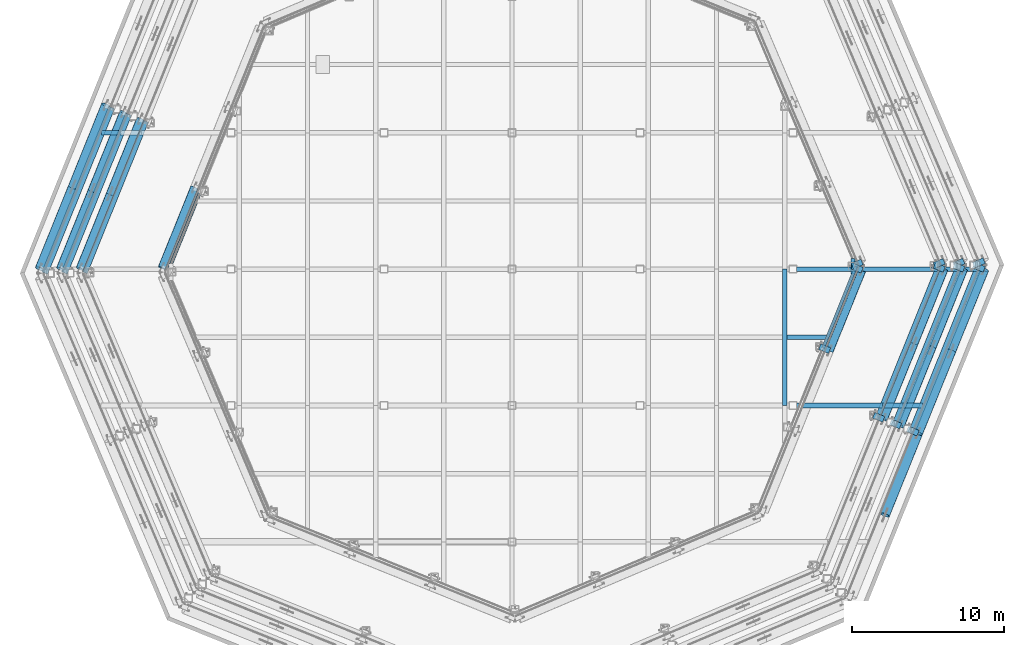
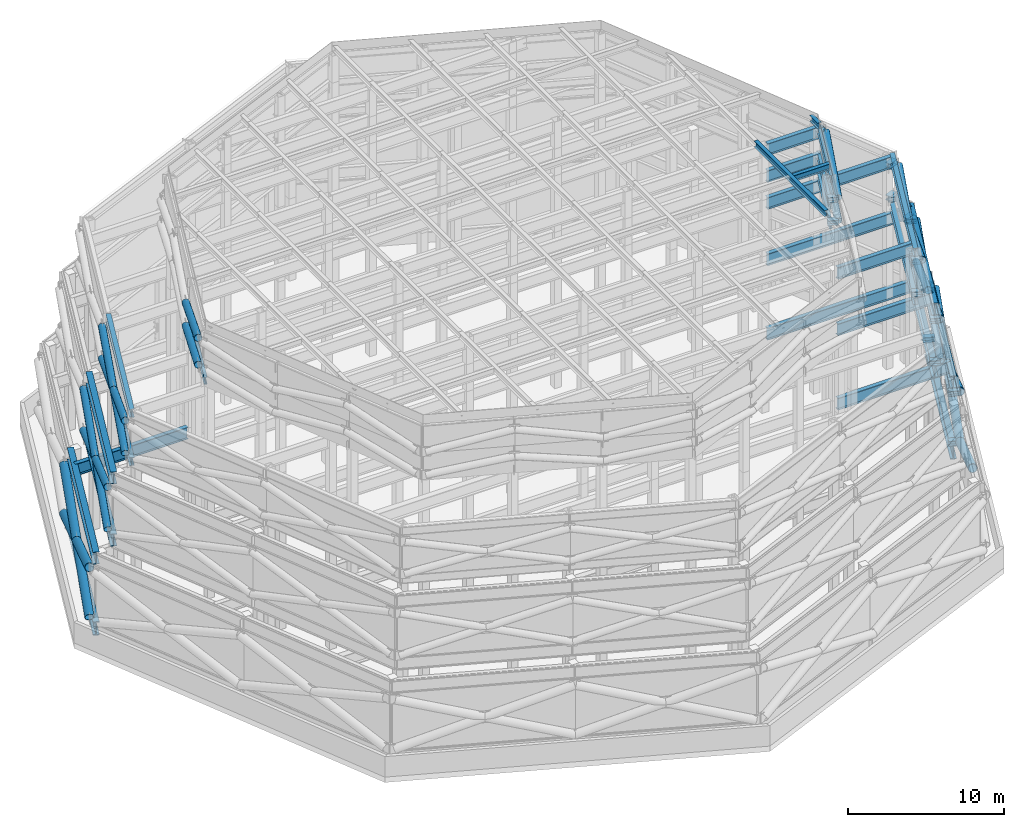
# One storey, part 8 of 19: 47 members, 28 beams.
"""IFC4 building model written with IfcOpenShell, lengths in metres."""

from ifc_helpers import new_model, si_unit, direction, frame, origin, origin_2d, place, context, subcontext, project, spatial, hollow_circle, i_section, extrude, material, material_profile, profile_set, type_object, element, save


model = new_model("IFC4")

# Units and contexts
model_context = context("Model", 3, precision=1e-05, world=origin(), true_north=direction((0.0, 1.0)))
body_context = subcontext(model_context, "Body", "Model", "MODEL_VIEW")
ifc_project = project(units=[si_unit("LENGTHUNIT", "METRE"), si_unit("AREAUNIT", "SQUARE_METRE"), si_unit("VOLUMEUNIT", "CUBIC_METRE"), si_unit("PLANEANGLEUNIT", "RADIAN"), si_unit("MASSUNIT", "GRAM", prefix="KILO")], contexts=[model_context])

# Site, building, storey
site_placement = place(None, origin())
site = spatial("IfcSite", under=ifc_project, at=site_placement, CompositionType="ELEMENT")
building_placement = place(site_placement, origin())
building = spatial("IfcBuilding", under=site, at=building_placement, Name="Orlundy Tower", CompositionType="ELEMENT")
storey_placement = place(building_placement, frame((0.0, 0.0, 304.300048828125)))
storey = spatial("IfcBuildingStorey", under=building, at=storey_placement, Name="Roof", CompositionType="ELEMENT", Elevation=304.300048828125)

# Beams
ifc_material_1 = material(Name="Steel ASTM A992 Gr 50", Category="steel")
ifc_material_profile_1 = material_profile(ifc_material_1, i_section(OverallWidth=0.2802734375, OverallDepth=0.46240234375, WebThickness=0.0107421875, FlangeThickness=0.017333984375, at=origin_2d()), Name="W18X76")
ifc_profile_set_1 = profile_set([ifc_material_profile_1], Name="Steel ASTM A992 Gr 50")
beam_type_1 = type_object("IfcBeamType", Name="CROWN FRAME beam W18X76", PredefinedType="BEAM", material=ifc_profile_set_1)
beam_1_placement = place(storey_placement, frame((18.0, -9.0, 21.131103515625), z_axis=(0.0, 1.0, 0.0), x_axis=(-1.0, 0.0, 0.0)))
element("IfcBeam", 1, at=beam_1_placement, inside=storey, type_object=beam_type_1, Name="CROWN FRAME secondary beam 10B", PredefinedType="BEAM", context=body_context, shape_type="SweptSolid", body=[
    extrude(i_section(OverallWidth=0.2802734375, OverallDepth=0.46240234375, WebThickness=0.0107421875, FlangeThickness=0.017333984375, at=origin_2d()), origin(), (0.0, 0.0, 1.0), 9.0),
])
beam_2_placement = place(storey_placement, frame((22.5, -0.33447265625, 21.131103515625), z_axis=(0.0, 1.0, 0.0), x_axis=(-1.0, 0.0, 0.0)))
element("IfcBeam", 2, at=beam_2_placement, inside=storey, type_object=beam_type_1, Name="CROWN FRAME secondary beam 11A", PredefinedType="BEAM", context=body_context, shape_type="SweptSolid", body=[
    extrude(i_section(OverallWidth=0.2802734375, OverallDepth=0.46240234375, WebThickness=0.0107421875, FlangeThickness=0.017333984375, at=origin_2d()), origin(), (0.0, 0.0, 1.0), 1.039794921875),
])
beam_3_placement = place(storey_placement, frame((18.14013671875, -4.5, 21.131103515625), z_axis=(1.0, 0.0, 0.0), x_axis=(0.0, 1.0, 0.0)))
element("IfcBeam", 3, at=beam_3_placement, inside=storey, type_object=beam_type_1, Name="CROWN FRAME cap cross beam 2J", PredefinedType="BEAM", context=body_context, shape_type="SweptSolid", body=[
    extrude(i_section(OverallWidth=0.2802734375, OverallDepth=0.46240234375, WebThickness=0.0107421875, FlangeThickness=0.017333984375, at=origin_2d()), origin(), (0.0, 0.0, 1.0), 2.6767578125),
])
ifc_material_2 = material(Name="Steel ASTM A992 Gr 50", Category="steel")
ifc_material_profile_2 = material_profile(ifc_material_2, i_section(OverallWidth=0.2138671875, OverallDepth=0.549072265625, WebThickness=0.0146484375, FlangeThickness=0.023681640625, at=origin_2d()), Name="W21X93")
ifc_profile_set_2 = profile_set([ifc_material_profile_2], Name="Steel ASTM A992 Gr 50")
beam_type_2 = type_object("IfcBeamType", Name="CROWN FRAME beam W21X93", PredefinedType="BEAM", material=ifc_profile_set_2)
for number, where, z_axis, x_axis, name in (
    (4, (-20.53173828125, 5.205810546875, 16.974365234375), (-0.374587705748, -0.927191485456, 0.0), (0.927191485456, -0.374587705748, 0.0), "CROWN FRAME foot ring beam 4-09"),
    (5, (20.53173828125, -5.205810546875, 16.974365234375), (0.374587705748, 0.927191485456, 0.0), (-0.927191485456, 0.374587705748, 0.0), "CROWN FRAME foot ring beam 4-21"),
    (6, (20.53173828125, -5.205810546875, 18.525390625), (0.374587705748, 0.927191485456, 0.0), (-0.927191485456, 0.374587705748, 0.0), "CROWN FRAME head ring beam 4-21"),
    (7, (20.53173828125, -5.205810546875, 20.62548828125), (0.374587705748, 0.927191485456, 0.0), (-0.927191485456, 0.374587705748, 0.0), "CROWN FRAME head ring beam 5-21"),
):
    element("IfcBeam", number, at=place(storey_placement, frame(where, z_axis=z_axis, x_axis=x_axis)), inside=storey, type_object=beam_type_2, Name=name, PredefinedType="BEAM", context=body_context, shape_type="SweptSolid", body=[
        extrude(i_section(OverallWidth=0.2138671875, OverallDepth=0.549072265625, WebThickness=0.0146484375, FlangeThickness=0.023681640625, at=origin_2d()), origin(), (0.0, 0.0, 1.0), 5.82861328125),
    ])
ifc_material_3 = material(Name="Steel ASTM A992 Gr 50", Category="steel")
ifc_material_profile_3 = material_profile(ifc_material_3, i_section(OverallWidth=0.3291015625, OverallDepth=0.635009765625, WebThickness=0.017822265625, FlangeThickness=0.031005859375, at=origin_2d()), Name="W24X162")
ifc_profile_set_3 = profile_set([ifc_material_profile_3], Name="Steel ASTM A992 Gr 50")
beam_type_3 = type_object("IfcBeamType", Name="CROWN FRAME beam W24X162", PredefinedType="BEAM", material=ifc_profile_set_3)
for number, where, z_axis, x_axis, name in (
    (8, (-24.148193359375, 9.75634765625, 12.617431640625), (-0.374588023912, -0.927191356917, 0.0), (0.927191356917, -0.374588023912, 0.0), "CROWN FRAME foot ring beam 3-06"),
    (9, (24.148193359375, -9.75634765625, 12.617431640625), (0.374588023912, 0.927191356917, 0.0), (-0.927191356917, 0.374588023912, 0.0), "CROWN FRAME foot ring beam 3-14"),
    (10, (-24.148193359375, 9.75634765625, 16.382568359375), (-0.374588023912, -0.927191356917, 0.0), (0.927191356917, -0.374588023912, 0.0), "CROWN FRAME head ring beam 3-06"),
    (11, (24.148193359375, -9.75634765625, 16.382568359375), (0.374588023912, 0.927191356917, 0.0), (-0.927191356917, 0.374588023912, 0.0), "CROWN FRAME head ring beam 3-14"),
):
    element("IfcBeam", number, at=place(storey_placement, frame(where, z_axis=z_axis, x_axis=x_axis)), inside=storey, type_object=beam_type_3, Name=name, PredefinedType="BEAM", context=body_context, shape_type="SweptSolid", body=[
        extrude(i_section(OverallWidth=0.3291015625, OverallDepth=0.635009765625, WebThickness=0.017822265625, FlangeThickness=0.031005859375, at=origin_2d()), origin(), (0.0, 0.0, 1.0), 10.787841796875),
    ])
ifc_material_4 = material(Name="Steel ASTM A992 Gr 50", Category="steel")
ifc_material_profile_4 = material_profile(ifc_material_4, i_section(OverallWidth=0.3076171875, OverallDepth=0.9267578125, WebThickness=0.01953125, FlangeThickness=0.031982421875, at=origin_2d()), Name="W36X194")
ifc_profile_set_4 = profile_set([ifc_material_profile_4], Name="Steel ASTM A992 Gr 50")
beam_type_4 = type_object("IfcBeamType", Name="CROWN FRAME beam W36X194", PredefinedType="BEAM", material=ifc_profile_set_4)
beam_4_placement = place(storey_placement, frame((18.778564453125, -9.0, 6.03662109375), z_axis=(1.0, 0.0, 0.0), x_axis=(0.0, 1.0, 0.0)))
element("IfcBeam", 12, at=beam_4_placement, inside=storey, type_object=beam_type_4, Name="CROWN FRAME primary beam 2F frame 1", PredefinedType="BEAM", context=body_context, shape_type="SweptSolid", body=[
    extrude(i_section(OverallWidth=0.3076171875, OverallDepth=0.9267578125, WebThickness=0.01953125, FlangeThickness=0.031982421875, at=origin_2d()), origin(), (0.0, 0.0, 1.0), 8.314208984375),
])
beam_5_placement = place(storey_placement, frame((18.778564453125, 0.0, 6.03662109375), z_axis=(1.0, 0.0, 0.0), x_axis=(0.0, 1.0, 0.0)))
element("IfcBeam", 13, at=beam_5_placement, inside=storey, type_object=beam_type_4, Name="CROWN FRAME primary beam 3F frame 1", PredefinedType="BEAM", context=body_context, shape_type="SweptSolid", body=[
    extrude(i_section(OverallWidth=0.3076171875, OverallDepth=0.9267578125, WebThickness=0.01953125, FlangeThickness=0.031982421875, at=origin_2d()), origin(), (0.0, 0.0, 1.0), 11.950439453125),
])
beam_6_placement = place(storey_placement, frame((-27.0927734375, 9.0, 6.03662109375), z_axis=(1.0, 0.0, 0.0), x_axis=(0.0, 1.0, 0.0)))
element("IfcBeam", 14, at=beam_6_placement, inside=storey, type_object=beam_type_4, Name="CROWN FRAME primary beam 4A frame 1", PredefinedType="BEAM", context=body_context, shape_type="SweptSolid", body=[
    extrude(i_section(OverallWidth=0.3076171875, OverallDepth=0.9267578125, WebThickness=0.01953125, FlangeThickness=0.031982421875, at=origin_2d()), origin(), (0.0, 0.0, 1.0), 8.314208984375),
])
beam_7_placement = place(storey_placement, frame((18.778564453125, -9.0, 11.836669921875), z_axis=(1.0, 0.0, 0.0), x_axis=(0.0, 1.0, 0.0)))
element("IfcBeam", 15, at=beam_7_placement, inside=storey, type_object=beam_type_4, Name="CROWN FRAME primary beam 2F frame 2", PredefinedType="BEAM", context=body_context, shape_type="SweptSolid", body=[
    extrude(i_section(OverallWidth=0.3076171875, OverallDepth=0.9267578125, WebThickness=0.01953125, FlangeThickness=0.031982421875, at=origin_2d()), origin(), (0.0, 0.0, 1.0), 7.02001953125),
])
beam_8_placement = place(storey_placement, frame((18.778564453125, 0.0, 11.836669921875), z_axis=(1.0, 0.0, 0.0), x_axis=(0.0, 1.0, 0.0)))
element("IfcBeam", 16, at=beam_8_placement, inside=storey, type_object=beam_type_4, Name="CROWN FRAME primary beam 3F frame 2", PredefinedType="BEAM", context=body_context, shape_type="SweptSolid", body=[
    extrude(i_section(OverallWidth=0.3076171875, OverallDepth=0.9267578125, WebThickness=0.01953125, FlangeThickness=0.031982421875, at=origin_2d()), origin(), (0.0, 0.0, 1.0), 10.65625),
])
beam_9_placement = place(storey_placement, frame((18.778564453125, -9.0, 16.236572265625), z_axis=(1.0, 0.0, 0.0), x_axis=(0.0, 1.0, 0.0)))
element("IfcBeam", 17, at=beam_9_placement, inside=storey, type_object=beam_type_4, Name="CROWN FRAME primary beam 2F frame 3", PredefinedType="BEAM", context=body_context, shape_type="SweptSolid", body=[
    extrude(i_section(OverallWidth=0.3076171875, OverallDepth=0.9267578125, WebThickness=0.01953125, FlangeThickness=0.031982421875, at=origin_2d()), origin(), (0.0, 0.0, 1.0), 5.675048828125),
])
beam_10_placement = place(storey_placement, frame((18.778564453125, 0.0, 16.236572265625), z_axis=(1.0, 0.0, 0.0), x_axis=(0.0, 1.0, 0.0)))
element("IfcBeam", 18, at=beam_10_placement, inside=storey, type_object=beam_type_4, Name="CROWN FRAME primary beam 3F frame 3", PredefinedType="BEAM", context=body_context, shape_type="SweptSolid", body=[
    extrude(i_section(OverallWidth=0.3076171875, OverallDepth=0.9267578125, WebThickness=0.01953125, FlangeThickness=0.031982421875, at=origin_2d()), origin(), (0.0, 0.0, 1.0), 9.311279296875),
])
for number, where, z_axis, x_axis, name in (
    (19, (18.778564453125, 0.0, 18.336669921875), (1.0, 0.0, 0.0), (0.0, 1.0, 0.0), "CROWN FRAME primary beam 3F frame 4"),
    (20, (18.778564453125, 0.0, 20.4365234375), (1.0, 0.0, 0.0), (0.0, 1.0, 0.0), "CROWN FRAME primary beam 3F frame 5"),
):
    element("IfcBeam", number, at=place(storey_placement, frame(where, z_axis=z_axis, x_axis=x_axis)), inside=storey, type_object=beam_type_4, Name=name, PredefinedType="BEAM", context=body_context, shape_type="SweptSolid", body=[
        extrude(i_section(OverallWidth=0.3076171875, OverallDepth=0.9267578125, WebThickness=0.01953125, FlangeThickness=0.031982421875, at=origin_2d()), origin(), (0.0, 0.0, 1.0), 3.8564453125),
    ])
ifc_material_5 = material(Name="Steel ASTM A992 Gr 50", Category="steel")
ifc_material_profile_5 = material_profile(ifc_material_5, i_section(OverallWidth=0.423095703125, OverallDepth=0.947265625, WebThickness=0.02392578125, FlangeThickness=0.042724609375, at=origin_2d()), Name="W36X302")
ifc_profile_set_5 = profile_set([ifc_material_profile_5], Name="Steel ASTM A992 Gr 50")
beam_type_5 = type_object("IfcBeamType", Name="CROWN FRAME beam W36X302", PredefinedType="BEAM", material=ifc_profile_set_5)
for number, where, z_axis, x_axis, name in (
    (21, (-26.4169921875, 10.673095703125, 6.0263671875), (-0.374598493863, -0.927187126957, 0.0), (0.927187126957, -0.374598493863, 0.0), "CROWN FRAME head ring beam 1-06"),
    (22, (26.4169921875, -10.673095703125, 6.0263671875), (0.374598493863, 0.927187126957, 0.0), (-0.927187126957, 0.374598493863, 0.0), "CROWN FRAME head ring beam 1-14"),
):
    element("IfcBeam", number, at=place(storey_placement, frame(where, z_axis=z_axis, x_axis=x_axis)), inside=storey, type_object=beam_type_5, Name=name, PredefinedType="BEAM", context=body_context, shape_type="SweptSolid", body=[
        extrude(i_section(OverallWidth=0.423095703125, OverallDepth=0.947265625, WebThickness=0.02392578125, FlangeThickness=0.042724609375, at=origin_2d()), origin(), (0.0, 0.0, 1.0), 11.8017578125),
    ])
for number, where, z_axis, x_axis, name in (
    (23, (-25.30419921875, 10.223388671875, 6.9736328125), (-0.374620519885, -0.927178227786, 0.0), (0.927178227786, -0.374620519885, 0.0), "CROWN FRAME foot ring beam 2-06"),
    (24, (25.30419921875, -10.223388671875, 6.9736328125), (0.374620519885, 0.927178227786, 0.0), (-0.927178227786, 0.374620519885, 0.0), "CROWN FRAME foot ring beam 2-14"),
    (25, (-25.30419921875, 10.223388671875, 11.826416015625), (-0.374620519885, -0.927178227786, 0.0), (0.927178227786, -0.374620519885, 0.0), "CROWN FRAME head ring beam 2-06"),
    (26, (25.30419921875, -10.223388671875, 11.826416015625), (0.374620519885, 0.927178227786, 0.0), (-0.927178227786, 0.374620519885, 0.0), "CROWN FRAME head ring beam 2-14"),
):
    element("IfcBeam", number, at=place(storey_placement, frame(where, z_axis=z_axis, x_axis=x_axis)), inside=storey, type_object=beam_type_5, Name=name, PredefinedType="BEAM", context=body_context, shape_type="SweptSolid", body=[
        extrude(i_section(OverallWidth=0.423095703125, OverallDepth=0.947265625, WebThickness=0.02392578125, FlangeThickness=0.042724609375, at=origin_2d()), origin(), (0.0, 0.0, 1.0), 11.304443359375),
    ])
ifc_material_6 = material(Name="Steel ASTM A992 Gr 50", Category="steel")
ifc_material_profile_6 = material_profile(ifc_material_6, i_section(OverallWidth=0.41650390625, OverallDepth=1.068115234375, WebThickness=0.0390625, FlangeThickness=0.070068359375, at=origin_2d()), Name="W40X503")
ifc_profile_set_6 = profile_set([ifc_material_profile_6], Name="Steel ASTM A992 Gr 50")
beam_type_6 = type_object("IfcBeamType", Name="CROWN FRAME beam W40X503", PredefinedType="BEAM", material=ifc_profile_set_6)
for number, where, z_axis, x_axis, name in (
    (27, (-26.4140625, 10.671875, 0.533935546875), (-0.374581064793, -0.927194168391, 0.0), (0.927194168391, -0.374581064793, 0.0), "CROWN FRAME foot ring beam 1-06"),
    (28, (26.4140625, -10.671875, 0.533935546875), (0.374581064793, 0.927194168391, 0.0), (-0.927194168391, 0.374581064793, 0.0), "CROWN FRAME foot ring beam 1-14"),
):
    element("IfcBeam", number, at=place(storey_placement, frame(where, z_axis=z_axis, x_axis=x_axis)), inside=storey, type_object=beam_type_6, Name=name, PredefinedType="BEAM", context=body_context, shape_type="SweptSolid", body=[
        extrude(i_section(OverallWidth=0.41650390625, OverallDepth=1.068115234375, WebThickness=0.0390625, FlangeThickness=0.070068359375, at=origin_2d()), origin(), (0.0, 0.0, 1.0), 11.80029296875),
    ])

# Members
ifc_material_7 = material(Name="Steel ASTM A500 Gr C", Category="steel")
ifc_material_profile_7 = material_profile(ifc_material_7, hollow_circle(Radius=0.25390625, WallThickness=0.01171875, at=origin_2d()), Name="HSS20.000X0.500")
ifc_profile_set_7 = profile_set([ifc_material_profile_7], Name="Steel ASTM A500 Gr C")
member_type_1 = type_object("IfcMemberType", Name="CROWN FRAME diagonal HSS20.000X0.500", PredefinedType="BRACE", material=ifc_profile_set_7)
member_1_placement = place(storey_placement, frame((-25.640380859375, 10.359130859375, 7.7470703125), z_axis=(-0.359186903617, -0.889011705625, 0.283977033457), x_axis=(0.927182818742, -0.374609157162, 0.0)))
element("IfcMember", 29, at=member_1_placement, inside=storey, type_object=member_type_1, Name="CROWN FRAME brace 2-06a", PredefinedType="BRACE", context=body_context, shape_type="SweptSolid", body=[
    extrude(hollow_circle(Radius=0.25390625, WallThickness=0.01171875, at=origin_2d()), origin(), (0.0, 0.0, 1.0), 11.640625),
])
for number, where, z_axis, x_axis, name in (
    (30, (-29.821533203125, 0.010498046875, 7.7470703125), (0.359186903617, 0.889011705625, 0.283977033457), (-0.927182818742, 0.374609157162, 0.0), "CROWN FRAME brace 2-06ba"),
    (31, (-27.73095703125, 5.184814453125, 9.39990234375), (0.359186903617, 0.889011705625, 0.283977033457), (-0.927182818742, 0.374609157162, 0.0), "CROWN FRAME brace 2-06bb"),
):
    element("IfcMember", number, at=place(storey_placement, frame(where, z_axis=z_axis, x_axis=x_axis)), inside=storey, type_object=member_type_1, Name=name, PredefinedType="BRACE", context=body_context, shape_type="SweptSolid", body=[
        extrude(hollow_circle(Radius=0.25390625, WallThickness=0.01171875, at=origin_2d()), origin(), (0.0, 0.0, 1.0), 5.8203125),
    ])
member_2_placement = place(storey_placement, frame((25.640380859375, -10.359130859375, 7.7470703125), z_axis=(0.359186903617, 0.889011705625, 0.283977033457), x_axis=(-0.927182818742, 0.374609157162, 0.0)))
element("IfcMember", 32, at=member_2_placement, inside=storey, type_object=member_type_1, Name="CROWN FRAME brace 2-14a", PredefinedType="BRACE", context=body_context, shape_type="SweptSolid", body=[
    extrude(hollow_circle(Radius=0.25390625, WallThickness=0.01171875, at=origin_2d()), origin(), (0.0, 0.0, 1.0), 11.640625),
])
for number, where, z_axis, x_axis, name in (
    (33, (29.821533203125, -0.010498046875, 7.7470703125), (-0.359186903617, -0.889011705625, 0.283977033457), (0.927182818742, -0.374609157162, 0.0), "CROWN FRAME brace 2-14ba"),
    (34, (27.73095703125, -5.184814453125, 9.39990234375), (-0.359186903617, -0.889011705625, 0.283977033457), (0.927182818742, -0.374609157162, 0.0), "CROWN FRAME brace 2-14bb"),
):
    element("IfcMember", number, at=place(storey_placement, frame(where, z_axis=z_axis, x_axis=x_axis)), inside=storey, type_object=member_type_1, Name=name, PredefinedType="BRACE", context=body_context, shape_type="SweptSolid", body=[
        extrude(hollow_circle(Radius=0.25390625, WallThickness=0.01171875, at=origin_2d()), origin(), (0.0, 0.0, 1.0), 5.8203125),
    ])
member_3_placement = place(storey_placement, frame((-24.52783203125, 9.90966796875, 13.23486328125), z_axis=(-0.364488164359, -0.902143290139, 0.230837306561), x_axis=(0.927184348726, -0.374605370326, 0.0)))
element("IfcMember", 35, at=member_3_placement, inside=storey, type_object=member_type_1, Name="CROWN FRAME brace 3-06a", PredefinedType="BRACE", context=body_context, shape_type="SweptSolid", body=[
    extrude(hollow_circle(Radius=0.25390625, WallThickness=0.01171875, at=origin_2d()), origin(), (0.0, 0.0, 1.0), 10.960205078125),
])
member_4_placement = place(storey_placement, frame((-28.522705078125, 0.02197265625, 13.23486328125), z_axis=(0.364505605659, 0.902131326643, 0.23085652023), x_axis=(-0.927176397047, 0.374625050896, 0.0)))
element("IfcMember", 36, at=member_4_placement, inside=storey, type_object=member_type_1, Name="CROWN FRAME brace 3-06ba", PredefinedType="BRACE", context=body_context, shape_type="SweptSolid", body=[
    extrude(hollow_circle(Radius=0.25390625, WallThickness=0.01171875, at=origin_2d()), origin(), (0.0, 0.0, 1.0), 5.480224609375),
])
member_5_placement = place(storey_placement, frame((-26.525146484375, 4.9658203125, 14.5), z_axis=(0.364470722299, 0.902155253215, 0.230818092193), x_axis=(-0.927192300124, 0.37458568925, 0.0)))
element("IfcMember", 37, at=member_5_placement, inside=storey, type_object=member_type_1, Name="CROWN FRAME brace 3-06bb", PredefinedType="BRACE", context=body_context, shape_type="SweptSolid", body=[
    extrude(hollow_circle(Radius=0.25390625, WallThickness=0.01171875, at=origin_2d()), origin(), (0.0, 0.0, 1.0), 5.47998046875),
])
member_6_placement = place(storey_placement, frame((24.52783203125, -9.90966796875, 13.23486328125), z_axis=(0.364488164359, 0.902143290139, 0.230837306561), x_axis=(-0.927184348726, 0.374605370326, 0.0)))
element("IfcMember", 38, at=member_6_placement, inside=storey, type_object=member_type_1, Name="CROWN FRAME brace 3-14a", PredefinedType="BRACE", context=body_context, shape_type="SweptSolid", body=[
    extrude(hollow_circle(Radius=0.25390625, WallThickness=0.01171875, at=origin_2d()), origin(), (0.0, 0.0, 1.0), 10.960205078125),
])
member_7_placement = place(storey_placement, frame((28.522705078125, -0.02197265625, 13.23486328125), z_axis=(-0.364505605659, -0.902131326643, 0.23085652023), x_axis=(0.927176397047, -0.374625050896, 0.0)))
element("IfcMember", 39, at=member_7_placement, inside=storey, type_object=member_type_1, Name="CROWN FRAME brace 3-14ba", PredefinedType="BRACE", context=body_context, shape_type="SweptSolid", body=[
    extrude(hollow_circle(Radius=0.25390625, WallThickness=0.01171875, at=origin_2d()), origin(), (0.0, 0.0, 1.0), 5.480224609375),
])
member_8_placement = place(storey_placement, frame((26.525146484375, -4.9658203125, 14.5), z_axis=(-0.364470722299, -0.902155253215, 0.230818092193), x_axis=(0.927192300124, -0.37458568925, 0.0)))
element("IfcMember", 40, at=member_8_placement, inside=storey, type_object=member_type_1, Name="CROWN FRAME brace 3-14bb", PredefinedType="BRACE", context=body_context, shape_type="SweptSolid", body=[
    extrude(hollow_circle(Radius=0.25390625, WallThickness=0.01171875, at=origin_2d()), origin(), (0.0, 0.0, 1.0), 5.47998046875),
])
for number, where, z_axis, x_axis, name in (
    (41, (-20.96484375, 5.380859375, 17.299072265625), (-0.370034982456, -0.915910251797, 0.15550730662), (0.927189754333, -0.374591990651, 0.0), "CROWN FRAME brace 4-09a"),
    (42, (20.96484375, -5.380859375, 17.299072265625), (0.370034982456, 0.915910251797, 0.15550730662), (-0.927189754333, 0.374591990651, 0.0), "CROWN FRAME brace 4-21a"),
):
    element("IfcMember", number, at=place(storey_placement, frame(where, z_axis=z_axis, x_axis=x_axis)), inside=storey, type_object=member_type_1, Name=name, PredefinedType="BRACE", context=body_context, shape_type="SweptSolid", body=[
        extrude(hollow_circle(Radius=0.25390625, WallThickness=0.01171875, at=origin_2d()), origin(), (0.0, 0.0, 1.0), 5.799560546875),
    ])
for number, where, z_axis, x_axis, name in (
    (43, (-20.96484375, 5.380859375, 19.099853515625), (-0.366623270569, -0.90746558564, 0.20516722047), (0.927189754333, -0.374591990651, 0.0), "CROWN FRAME brace 5-09a"),
    (44, (20.96484375, -5.380859375, 19.099853515625), (0.366623270569, 0.90746558564, 0.20516722047), (-0.927189754333, 0.374591990651, 0.0), "CROWN FRAME brace 5-21a"),
):
    element("IfcMember", number, at=place(storey_placement, frame(where, z_axis=z_axis, x_axis=x_axis)), inside=storey, type_object=member_type_1, Name=name, PredefinedType="BRACE", context=body_context, shape_type="SweptSolid", body=[
        extrude(hollow_circle(Radius=0.25390625, WallThickness=0.01171875, at=origin_2d()), origin(), (0.0, 0.0, 1.0), 5.853515625),
    ])
ifc_material_8 = material(Name="Steel ASTM A1085 Gr A", Category="steel")
ifc_material_profile_8 = material_profile(ifc_material_8, hollow_circle(Radius=0.3046875, WallThickness=0.023681640625, at=origin_2d()), Name="HSS24.000X1.000")
ifc_profile_set_8 = profile_set([ifc_material_profile_8], Name="Steel ASTM A1085 Gr A")
member_type_2 = type_object("IfcMemberType", Name="CROWN FRAME diagonal HSS24.000X1.000", PredefinedType="BRACE", material=ifc_profile_set_8)
member_9_placement = place(storey_placement, frame((-26.800048828125, 10.827880859375, 1.3681640625), z_axis=(-0.355403864273, -0.879638967775, 0.316106595363), x_axis=(0.927181419231, -0.374612621028, 0.0)))
element("IfcMember", 45, at=member_9_placement, inside=storey, type_object=member_type_2, Name="CROWN FRAME brace 1-06a", PredefinedType="BRACE", context=body_context, shape_type="SweptSolid", body=[
    extrude(hollow_circle(Radius=0.3046875, WallThickness=0.023681640625, at=origin_2d()), origin(), (0.0, 0.0, 1.0), 12.28857421875),
])
for number, where, z_axis, x_axis, name in (
    (46, (-31.16748046875, 0.018310546875, 1.3681640625), (0.355388738237, 0.879650702939, 0.316090945066), (-0.927188692613, 0.374594618608, 0.0), "CROWN FRAME brace 1-06ba"),
    (47, (-28.98388671875, 5.423095703125, 3.310302734375), (0.355418989687, 0.879627232386, 0.316122245048), (-0.927174145613, 0.374630623024, 0.0), "CROWN FRAME brace 1-06bb"),
    (48, (26.800048828125, -10.827880859375, 1.3681640625), (-0.355388738237, -0.879650702939, 0.316090945066), (0.927188692613, -0.374594618608, 0.0), "CROWN FRAME brace 1-13ba"),
):
    element("IfcMember", number, at=place(storey_placement, frame(where, z_axis=z_axis, x_axis=x_axis)), inside=storey, type_object=member_type_2, Name=name, PredefinedType="BRACE", context=body_context, shape_type="SweptSolid", body=[
        extrude(hollow_circle(Radius=0.3046875, WallThickness=0.023681640625, at=origin_2d()), origin(), (0.0, 0.0, 1.0), 6.144287109375),
    ])
member_10_placement = place(storey_placement, frame((26.800048828125, -10.827880859375, 1.3681640625), z_axis=(0.355403864273, 0.879638967775, 0.316106595363), x_axis=(-0.927181419231, 0.374612621028, 0.0)))
element("IfcMember", 49, at=member_10_placement, inside=storey, type_object=member_type_2, Name="CROWN FRAME brace 1-14a", PredefinedType="BRACE", context=body_context, shape_type="SweptSolid", body=[
    extrude(hollow_circle(Radius=0.3046875, WallThickness=0.023681640625, at=origin_2d()), origin(), (0.0, 0.0, 1.0), 12.28857421875),
])
for number, where, z_axis, x_axis, name in (
    (50, (31.16748046875, -0.018310546875, 1.3681640625), (-0.355388738237, -0.879650702939, 0.316090945066), (0.927188692613, -0.374594618608, 0.0), "CROWN FRAME brace 1-14ba"),
    (51, (28.98388671875, -5.423095703125, 3.310302734375), (-0.355418989687, -0.879627232386, 0.316122245048), (0.927174145613, -0.374630623024, 0.0), "CROWN FRAME brace 1-14bb"),
):
    element("IfcMember", number, at=place(storey_placement, frame(where, z_axis=z_axis, x_axis=x_axis)), inside=storey, type_object=member_type_2, Name=name, PredefinedType="BRACE", context=body_context, shape_type="SweptSolid", body=[
        extrude(hollow_circle(Radius=0.3046875, WallThickness=0.023681640625, at=origin_2d()), origin(), (0.0, 0.0, 1.0), 6.144287109375),
    ])
ifc_material_9 = material(Name="Steel ASTM A992 Gr 50", Category="steel")
ifc_material_profile_9 = material_profile(ifc_material_9, i_section(OverallWidth=0.39892578125, OverallDepth=0.393310546875, WebThickness=0.022705078125, FlangeThickness=0.03662109375, at=origin_2d()), Name="W14X193")
ifc_profile_set_9 = profile_set([ifc_material_profile_9], Name="Steel ASTM A992 Gr 50")
member_type_3 = type_object("IfcMemberType", Name="CROWN FRAME strut W14X193", PredefinedType="STRUT", material=ifc_profile_set_9)
for number, where, z_axis, x_axis, name in (
    (52, (26.0966796875, -10.54345703125, 5.252685546875), (0.927071997252, -0.374883331065, 0.0), (0.374883331065, 0.927071997252, 0.0), "CROWN FRAME brace connector 1-13A1"),
    (53, (26.0966796875, -10.54345703125, 1.3681640625), (0.927071997252, -0.374883331065, 0.0), (0.374883331065, 0.927071997252, 0.0), "CROWN FRAME brace connector 1-13B0"),
):
    element("IfcMember", number, at=place(storey_placement, frame(where, z_axis=z_axis, x_axis=x_axis)), inside=storey, type_object=member_type_3, Name=name, PredefinedType="STRUT", context=body_context, shape_type="SweptSolid", body=[
        extrude(i_section(OverallWidth=0.39892578125, OverallDepth=0.393310546875, WebThickness=0.022705078125, FlangeThickness=0.03662109375, at=origin_2d()), origin(), (0.0, 0.0, 1.0), 0.7587890625),
    ])
for number, where, z_axis, x_axis, name in (
    (54, (30.4638671875, 0.26611328125, 5.252685546875), (0.927117200346, -0.374771526163, 0.0), (0.374771526163, 0.927117200346, 0.0), "CROWN FRAME brace connector 1-14A1"),
    (55, (30.4638671875, 0.26611328125, 1.3681640625), (0.927117200346, -0.374771526163, 0.0), (0.374771526163, 0.927117200346, 0.0), "CROWN FRAME brace connector 1-14B0"),
):
    element("IfcMember", number, at=place(storey_placement, frame(where, z_axis=z_axis, x_axis=x_axis)), inside=storey, type_object=member_type_3, Name=name, PredefinedType="STRUT", context=body_context, shape_type="SweptSolid", body=[
        extrude(i_section(OverallWidth=0.39892578125, OverallDepth=0.393310546875, WebThickness=0.022705078125, FlangeThickness=0.03662109375, at=origin_2d()), origin(), (0.0, 0.0, 1.0), 0.759033203125),
    ])
for number, where, z_axis, x_axis, name in (
    (56, (30.4638671875, 0.26611328125, 1.3681640625), (0.9205537351, 0.390615950511, 0.0), (-0.390615950511, 0.9205537351, 0.0), "CROWN FRAME brace connector 1-15A0"),
    (57, (30.4638671875, 0.26611328125, 5.252685546875), (0.9205537351, 0.390615950511, 0.0), (-0.390615950511, 0.9205537351, 0.0), "CROWN FRAME brace connector 1-15B1"),
):
    element("IfcMember", number, at=place(storey_placement, frame(where, z_axis=z_axis, x_axis=x_axis)), inside=storey, type_object=member_type_3, Name=name, PredefinedType="STRUT", context=body_context, shape_type="SweptSolid", body=[
        extrude(i_section(OverallWidth=0.39892578125, OverallDepth=0.393310546875, WebThickness=0.022705078125, FlangeThickness=0.03662109375, at=origin_2d()), origin(), (0.0, 0.0, 1.0), 0.7587890625),
    ])
for number, where, z_axis, x_axis, name in (
    (58, (24.98388671875, -10.093994140625, 11.052734375), (0.927234929482, -0.374480153744, 0.0), (0.374480153744, 0.927234929482, 0.0), "CROWN FRAME brace connector 2-13A1"),
    (59, (24.98388671875, -10.093994140625, 7.7470703125), (0.927234929482, -0.374480153744, 0.0), (0.374480153744, 0.927234929482, 0.0), "CROWN FRAME brace connector 2-13B0"),
    (60, (29.1650390625, 0.254638671875, 11.052734375), (0.927234929482, -0.374480153744, 0.0), (0.374480153744, 0.927234929482, 0.0), "CROWN FRAME brace connector 2-14A1"),
    (61, (29.1650390625, 0.254638671875, 7.7470703125), (0.927234929482, -0.374480153744, 0.0), (0.374480153744, 0.927234929482, 0.0), "CROWN FRAME brace connector 2-14B0"),
    (62, (29.1650390625, 0.254638671875, 7.7470703125), (0.920495337048, 0.390753546975, 0.0), (-0.390753546975, 0.920495337048, 0.0), "CROWN FRAME brace connector 2-15A0"),
    (63, (29.1650390625, 0.254638671875, 11.052734375), (0.920495337048, 0.390753546975, 0.0), (-0.390753546975, 0.920495337048, 0.0), "CROWN FRAME brace connector 2-15B1"),
    (64, (23.871337890625, -9.64453125, 15.764892578125), (0.927234929482, -0.374480153744, 0.0), (0.374480153744, 0.927234929482, 0.0), "CROWN FRAME brace connector 3-13A1"),
    (65, (23.871337890625, -9.64453125, 13.23486328125), (0.927234929482, -0.374480153744, 0.0), (0.374480153744, 0.927234929482, 0.0), "CROWN FRAME brace connector 3-13B0"),
    (66, (27.8662109375, 0.243408203125, 15.764892578125), (0.927115163542, -0.374776564809, 0.0), (0.374776564809, 0.927115163542, 0.0), "CROWN FRAME brace connector 3-14A1"),
    (67, (27.8662109375, 0.243408203125, 13.23486328125), (0.927115163542, -0.374776564809, 0.0), (0.374776564809, 0.927115163542, 0.0), "CROWN FRAME brace connector 3-14B0"),
    (68, (27.8662109375, 0.243408203125, 13.23486328125), (0.920495337048, 0.390753546975, 0.0), (-0.390753546975, 0.920495337048, 0.0), "CROWN FRAME brace connector 3-15A0"),
    (69, (27.8662109375, 0.243408203125, 15.764892578125), (0.920495337048, 0.390753546975, 0.0), (-0.390753546975, 0.920495337048, 0.0), "CROWN FRAME brace connector 3-15B1"),
    (70, (20.308349609375, -5.115478515625, 17.299072265625), (0.927115163542, -0.374776564809, 0.0), (0.374776564809, 0.927115163542, 0.0), "CROWN FRAME brace connector 4-20B0"),
):
    element("IfcMember", number, at=place(storey_placement, frame(where, z_axis=z_axis, x_axis=x_axis)), inside=storey, type_object=member_type_3, Name=name, PredefinedType="STRUT", context=body_context, shape_type="SweptSolid", body=[
        extrude(i_section(OverallWidth=0.39892578125, OverallDepth=0.393310546875, WebThickness=0.022705078125, FlangeThickness=0.03662109375, at=origin_2d()), origin(), (0.0, 0.0, 1.0), 0.7080078125),
    ])
member_11_placement = place(storey_placement, frame((22.45458984375, 0.196044921875, 18.200927734375), z_axis=(0.927186549588, -0.374599922936, 0.0), x_axis=(0.374599922936, 0.927186549588, 0.0)))
element("IfcMember", 71, at=member_11_placement, inside=storey, type_object=member_type_3, Name="CROWN FRAME brace connector 4-21A1", PredefinedType="STRUT", context=body_context, shape_type="SweptSolid", body=[
    extrude(i_section(OverallWidth=0.39892578125, OverallDepth=0.393310546875, WebThickness=0.022705078125, FlangeThickness=0.03662109375, at=origin_2d()), origin(), (0.0, 0.0, 1.0), 0.707763671875),
])
for number, where, z_axis, x_axis, name in (
    (72, (22.45458984375, 0.196044921875, 18.200927734375), (0.920495337048, 0.390753546975, 0.0), (-0.390753546975, 0.920495337048, 0.0), "CROWN FRAME brace connector 4-22B1"),
    (73, (20.308349609375, -5.115478515625, 19.099853515625), (0.927115163542, -0.374776564809, 0.0), (0.374776564809, 0.927115163542, 0.0), "CROWN FRAME brace connector 5-20B0"),
):
    element("IfcMember", number, at=place(storey_placement, frame(where, z_axis=z_axis, x_axis=x_axis)), inside=storey, type_object=member_type_3, Name=name, PredefinedType="STRUT", context=body_context, shape_type="SweptSolid", body=[
        extrude(i_section(OverallWidth=0.39892578125, OverallDepth=0.393310546875, WebThickness=0.022705078125, FlangeThickness=0.03662109375, at=origin_2d()), origin(), (0.0, 0.0, 1.0), 0.7080078125),
    ])
member_12_placement = place(storey_placement, frame((22.45458984375, 0.196044921875, 20.30078125), z_axis=(0.927186549588, -0.374599922936, 0.0), x_axis=(0.374599922936, 0.927186549588, 0.0)))
element("IfcMember", 74, at=member_12_placement, inside=storey, type_object=member_type_3, Name="CROWN FRAME brace connector 5-21A1", PredefinedType="STRUT", context=body_context, shape_type="SweptSolid", body=[
    extrude(i_section(OverallWidth=0.39892578125, OverallDepth=0.393310546875, WebThickness=0.022705078125, FlangeThickness=0.03662109375, at=origin_2d()), origin(), (0.0, 0.0, 1.0), 0.707763671875),
])
member_13_placement = place(storey_placement, frame((22.45458984375, 0.196044921875, 20.30078125), z_axis=(0.920495337048, 0.390753546975, 0.0), x_axis=(-0.390753546975, 0.920495337048, 0.0)))
element("IfcMember", 75, at=member_13_placement, inside=storey, type_object=member_type_3, Name="CROWN FRAME brace connector 5-22B1", PredefinedType="STRUT", context=body_context, shape_type="SweptSolid", body=[
    extrude(i_section(OverallWidth=0.39892578125, OverallDepth=0.393310546875, WebThickness=0.022705078125, FlangeThickness=0.03662109375, at=origin_2d()), origin(), (0.0, 0.0, 1.0), 0.7080078125),
])

save(model, "model.ifc")
